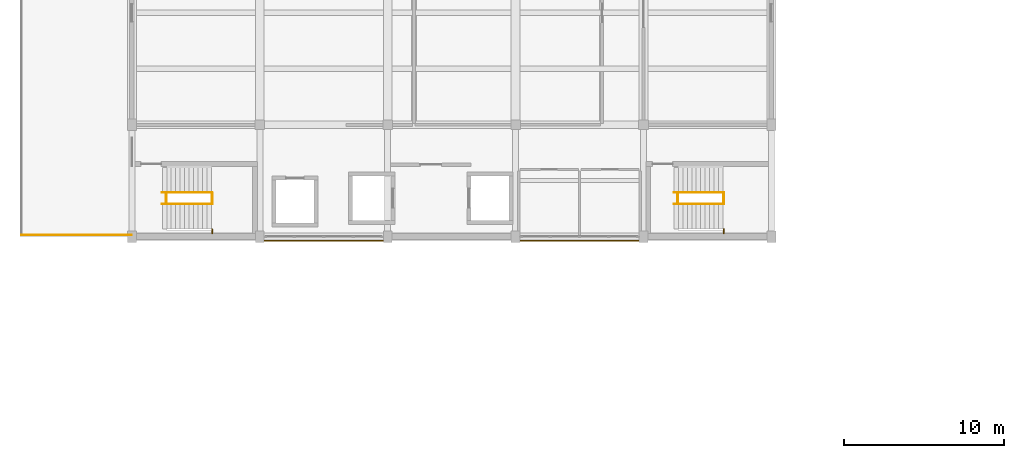
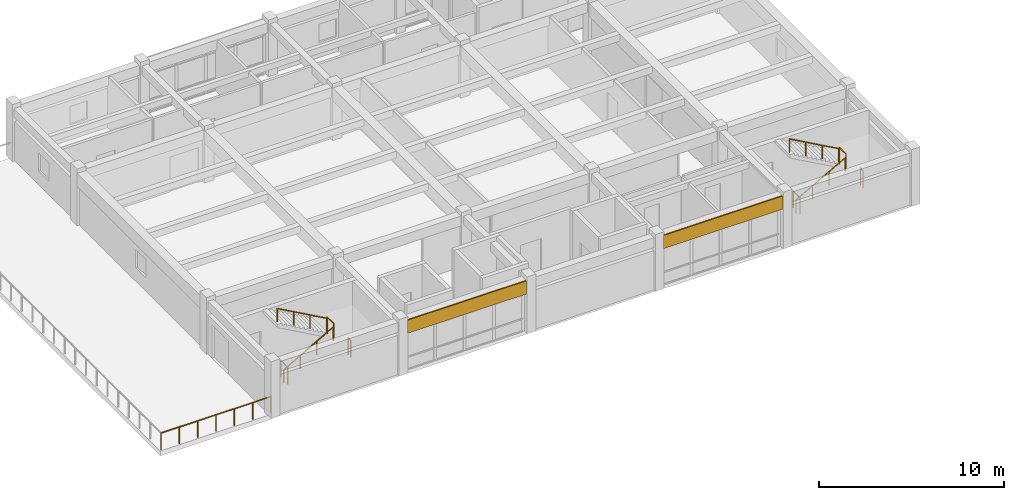
# One storey, part 9 of 10: 11 railings, 2 coverings.
"""IFC4 building model written with IfcOpenShell, lengths in metres."""

import ifcopenshell
import ifcopenshell.guid

model = None  # the IFC model being written
_history = None  # IfcOwnerHistory: only IFC2X3 demands one
_inside = {}  # id of a spatial element -> (the spatial element, [elements in it])
_under = {}  # id of a project, library or spatial element -> (it, [spatial elements below it])
_declared = {}  # id of a project -> (the project, [libraries it declares])
_typed = {}  # id of a type object -> (the type object, [elements of that type])
_made_of = {}  # id of a material, layer set ... -> (it, [elements and type objects made of it])


def new_model(schema):
    """Start an empty IFC model of exactly this schema.

    Asked for "IFC4X3", IfcOpenShell would pick the latest addendum, in which some entities
    have other attributes; the version numbers below select the first issue.
    IFC2X3 requires an IfcOwnerHistory on every rooted entity: one is made here for all.
    """
    global model, _history
    if schema == "IFC4X3":
        model = ifcopenshell.file(schema_version=(4, 3, 0, 0))
    else:
        model = ifcopenshell.file(schema=schema)
    _inside.clear()
    _under.clear()
    _declared.clear()
    _typed.clear()
    _made_of.clear()
    _history = None
    if model.schema == "IFC2X3":
        org = make("IfcOrganization", Name="unknown")
        user = make(
            "IfcPersonAndOrganization",
            ThePerson=make("IfcPerson", FamilyName="unknown"),
            TheOrganization=org,
        )
        app = make(
            "IfcApplication",
            ApplicationDeveloper=org,
            Version="unknown",
            ApplicationFullName="unknown",
            ApplicationIdentifier="unknown",
        )
        _history = make(
            "IfcOwnerHistory",
            OwningUser=user,
            OwningApplication=app,
            ChangeAction="ADDED",
            CreationDate=0,
        )
    return model


def make(cls, **values):
    """One entity of the class cls with the attributes given. An attribute that is None is left unset."""
    return model.create_entity(
        cls, **{name: value for name, value in values.items() if value is not None}
    )


def rooted(cls, **values):
    """An entity with a GlobalId (a new one), such as an element, a storey or a relation."""
    return make(cls, GlobalId=ifcopenshell.guid.new(), OwnerHistory=_history, **values)


def si_unit(unit_type, name, prefix=None):
    """IfcSIUnit, for example si_unit("LENGTHUNIT", "METRE", prefix="MILLI")."""
    return make("IfcSIUnit", UnitType=unit_type, Prefix=prefix, Name=name)


def assignment(units):
    """IfcUnitAssignment: the units of a project."""
    return None if units is None else make("IfcUnitAssignment", Units=units)


def point(xyz):
    """IfcCartesianPoint."""
    return None if xyz is None else make("IfcCartesianPoint", Coordinates=xyz)


def direction(xyz):
    """IfcDirection."""
    return None if xyz is None else make("IfcDirection", DirectionRatios=xyz)


def frame(location, z_axis=None, x_axis=None):
    """IfcAxis2Placement3D, a coordinate frame: its origin and axes. An axis left out is left unset."""
    return make(
        "IfcAxis2Placement3D",
        Location=point(location),
        Axis=direction(z_axis),
        RefDirection=direction(x_axis),
    )


def frame_2d(location, x_axis=None):
    """IfcAxis2Placement2D, a coordinate frame in the plane: its origin and x axis."""
    return make(
        "IfcAxis2Placement2D", Location=point(location), RefDirection=direction(x_axis)
    )


def origin():
    """The frame at (0, 0, 0) with its axes left unset."""
    return frame((0.0, 0.0, 0.0))


def origin_2d():
    """The frame at (0, 0) in the plane with its x axis left unset."""
    return frame_2d((0.0, 0.0))


def place(relative_to, where):
    """IfcLocalPlacement: puts the frame where relative to a parent placement (None: the world)."""
    return make(
        "IfcLocalPlacement", PlacementRelTo=relative_to, RelativePlacement=where
    )


def context(
    kind, dimensions, precision=None, world=None, true_north=None, identifier=None
):
    """IfcGeometricRepresentationContext, for example the 3D "Model" context."""
    return make(
        "IfcGeometricRepresentationContext",
        ContextIdentifier=identifier,
        ContextType=kind,
        CoordinateSpaceDimension=dimensions,
        Precision=precision,
        WorldCoordinateSystem=world,
        TrueNorth=true_north,
    )


def subcontext(parent, identifier, kind, view, scale=None):
    """IfcGeometricRepresentationSubContext, for example "Body" below "Model"."""
    return make(
        "IfcGeometricRepresentationSubContext",
        ContextIdentifier=identifier,
        ContextType=kind,
        ParentContext=parent,
        TargetScale=scale,
        TargetView=view,
    )


def project(units=None, contexts=None):
    """IfcProject with its units and contexts."""
    return rooted(
        "IfcProject",
        Name="project",
        RepresentationContexts=contexts,
        UnitsInContext=assignment(units),
    )


def spatial(cls, under=None, at=None, **own):
    """A site, building, storey or space (cls), placed at a placement, below another one or the project."""
    s = rooted(cls, ObjectPlacement=at, **own)
    if under is not None:
        _under.setdefault(under.id(), (under, []))[1].append(s)
    return s


def profile(cls, at=None, kind="AREA", **sizes):
    """A parametric profile (cls). Its sizes go by their IFC names, for example OverallWidth=200.0."""
    return make(cls, ProfileType=kind, Position=at, **sizes)


def rectangle(**sizes):
    """IfcRectangleProfileDef."""
    return profile("IfcRectangleProfileDef", **sizes)


def circle(**sizes):
    """IfcCircleProfileDef."""
    return profile("IfcCircleProfileDef", **sizes)


def extrude(swept, where, along, depth):
    """IfcExtrudedAreaSolid: the profile swept, set in the frame where, extruded along a direction by depth."""
    return make(
        "IfcExtrudedAreaSolid",
        SweptArea=swept,
        Position=where,
        ExtrudedDirection=direction(along),
        Depth=depth,
    )


def shape(context_of_items, identifier, shape_type, items):
    """IfcShapeRepresentation: the items that make up one representation, for example the "Body"."""
    return make(
        "IfcShapeRepresentation",
        ContextOfItems=context_of_items,
        RepresentationIdentifier=identifier,
        RepresentationType=shape_type,
        Items=items,
    )


def material(Name=None, Category=None):
    """IfcMaterial."""
    return make("IfcMaterial", Name=Name, Category=Category)


def layer(
    of_material, thickness, ventilated=None, Name=None, Category=None, Priority=None
):
    """IfcMaterialLayer: one layer of a wall or slab, of a material (None: an air gap)."""
    return make(
        "IfcMaterialLayer",
        Material=of_material,
        LayerThickness=thickness,
        IsVentilated=ventilated,
        Name=Name,
        Category=Category,
        Priority=Priority,
    )


def layer_set(layers, Name=None):
    """IfcMaterialLayerSet."""
    return make("IfcMaterialLayerSet", MaterialLayers=layers, LayerSetName=Name)


def made_of(thing, what):
    """Note that an element or type object is made of a material, layer set ...; save() writes the relation."""
    if what is not None:
        _made_of.setdefault(what.id(), (what, []))[1].append(thing)
    return thing


def type_object(cls, material=None, **own):
    """A type object (cls), such as IfcWallType, which elements share."""
    return made_of(rooted(cls, **own), material)


def element(
    cls,
    number,
    at=None,
    inside=None,
    cuts=None,
    type_object=None,
    material=None,
    context=None,
    identifier="Body",
    shape_type=None,
    held_by="IfcProductDefinitionShape",
    body=None,
    shapes=None,
    **own,
):
    """One element of the class cls, such as IfcWall. Its Tag is "e" and its number.

    at: its placement. inside: the storey or other place that contains it. cuts: it is an
    opening in that element (IfcRelVoidsElement). A single representation is given by context,
    identifier, shape_type and body (its items); several are given by shapes. held_by: the class
    of the entity that holds the representations. save() writes the other relations.
    """
    e = rooted(cls, Tag="e%d" % number, ObjectPlacement=at, **own)
    if body is not None:
        shapes = [shape(context, identifier, shape_type, body)]
    if shapes is not None:
        e.Representation = make(held_by, Representations=shapes)
    if inside is not None:
        _inside.setdefault(inside.id(), (inside, []))[1].append(e)
    if cuts is not None:
        rooted(
            "IfcRelVoidsElement", RelatingBuildingElement=cuts, RelatedOpeningElement=e
        )
    if type_object is not None:
        _typed.setdefault(type_object.id(), (type_object, []))[1].append(e)
    return made_of(e, material)


def aggregate(whole, parts):
    """IfcRelAggregates: a whole, such as a stair, and the parts it consists of."""
    return rooted("IfcRelAggregates", RelatingObject=whole, RelatedObjects=parts)


def save(model, path):
    """Write the relations noted so far, then the file.

    IfcRelAggregates (storeys below a building ...), IfcRelContainedInSpatialStructure (elements
    in a storey), IfcRelDefinesByType, IfcRelAssociatesMaterial and IfcRelDeclares: one each for
    every whole, place, type object, material and project.
    """
    for whole, parts in _under.values():
        aggregate(whole, parts)
    for where, things in _inside.values():
        rooted(
            "IfcRelContainedInSpatialStructure",
            RelatedElements=things,
            RelatingStructure=where,
        )
    for kind, things in _typed.values():
        rooted("IfcRelDefinesByType", RelatedObjects=things, RelatingType=kind)
    for what, things in _made_of.values():
        rooted("IfcRelAssociatesMaterial", RelatedObjects=things, RelatingMaterial=what)
    for by, libraries in _declared.values():
        rooted("IfcRelDeclares", RelatingContext=by, RelatedDefinitions=libraries)
    model.write(path)


model = new_model("IFC4")

# Units and contexts
model_context = context("Model", 3, precision=1e-05, world=origin(), true_north=direction((0.0, 1.0)))
body_context = subcontext(model_context, "Body", "Model", "MODEL_VIEW")
ifc_project = project(units=[si_unit("LENGTHUNIT", "METRE"), si_unit("AREAUNIT", "SQUARE_METRE"), si_unit("VOLUMEUNIT", "CUBIC_METRE"), si_unit("PLANEANGLEUNIT", "RADIAN"), si_unit("MASSUNIT", "GRAM", prefix="KILO")], contexts=[model_context])

# Site, building, storey
site_placement = place(None, origin())
site = spatial("IfcSite", under=ifc_project, at=site_placement, CompositionType="ELEMENT")
building_placement = place(site_placement, origin())
building = spatial("IfcBuilding", under=site, at=building_placement, Name="Naurynzar Civic Courthouse", CompositionType="ELEMENT")
storey_placement = place(building_placement, frame((0.0, 0.0, 33.300048828125)))
storey = spatial("IfcBuildingStorey", under=building, at=storey_placement, Name="L09", CompositionType="ELEMENT", Elevation=33.300048828125)

# Coverings
ifc_material_1 = material(Name="Precast concrete C40/50", Category="concrete")
ifc_layer = layer(ifc_material_1, 0.080078125)
ifc_layer_set = layer_set([ifc_layer], Name="COV-CLAD-PRECAST-80")
covering_type = type_object("IfcCoveringType", Name="COV-CLAD-PRECAST-80", PredefinedType="CLADDING", material=ifc_layer_set)
for number, where, z_axis, x_axis, name in (
    (1, (97.0, 43.7451171875, 2.599853515625), (0.0, 0.0, 1.0), (-1.0, 0.0, 0.0), "V2 precast spandrel cladding 59"),
    (2, (81.0, 43.7451171875, 2.599853515625), (0.0, 0.0, 1.0), (-1.0, 0.0, 0.0), "V2 precast spandrel cladding 60"),
):
    element("IfcCovering", number, at=place(storey_placement, frame(where, z_axis=z_axis, x_axis=x_axis)), inside=storey, type_object=covering_type, Name=name, PredefinedType="CLADDING", context=body_context, shape_type="SweptSolid", body=[
        extrude(rectangle(XDim=7.449951171875, YDim=0.080078125, at=origin_2d()), origin(), (0.0, 0.0, 1.0), 0.8701171875),
    ])

# Railings
ifc_material_2 = material(Name="Brushed Stainless Steel 304", Category="steel")
railing_type_1 = type_object("IfcRailingType", Name="RAIL-BAL-1100", PredefinedType="BALUSTRADE", material=ifc_material_2)
railing_1_placement = place(storey_placement, frame((68.97998046875, 44.10009765625, 0.0)))
element("IfcRailing", 3, at=railing_1_placement, inside=storey, type_object=railing_type_1, Name="Roof garden perimeter balustrade guard GR-RG-V2W.1", PredefinedType="BALUSTRADE", context=body_context, shape_type="SweptSolid", body=[
    extrude(circle(Radius=0.02392578125, at=origin_2d()), frame((0.0, 0.0, 1.09619140625), z_axis=(-1.0, 0.0, 0.0), x_axis=(0.0, -1.0, 0.0)), (0.0, 0.0, 1.0), 6.8798828125),
    extrude(circle(Radius=0.02099609375, at=origin_2d()), origin(), (0.0, 0.0, 1.0), 1.072021484375),
    extrude(circle(Radius=0.02099609375, at=origin_2d()), frame((-1.146728515625, 0.0, 0.0)), (0.0, 0.0, 1.0), 1.072021484375),
    extrude(circle(Radius=0.02099609375, at=origin_2d()), frame((-2.293212890625, 0.0, 0.0)), (0.0, 0.0, 1.0), 1.072021484375),
    extrude(circle(Radius=0.02099609375, at=origin_2d()), frame((-3.43994140625, 0.0, 0.0)), (0.0, 0.0, 1.0), 1.072021484375),
    extrude(circle(Radius=0.02099609375, at=origin_2d()), frame((-4.586669921875, 0.0, 0.0)), (0.0, 0.0, 1.0), 1.072021484375),
    extrude(circle(Radius=0.02099609375, at=origin_2d()), frame((-5.733154296875, 0.0, 0.0)), (0.0, 0.0, 1.0), 1.072021484375),
    extrude(circle(Radius=0.02099609375, at=origin_2d()), frame((-6.8798828125, 0.0, 0.0)), (0.0, 0.0, 1.0), 1.072021484375),
])
for number, where, name in (
    (4, (71.139892578125, 46.0400390625, 0.0), "Stair ST-V2A floor well slot guard L09"),
    (5, (74.02001953125, 46.0400390625, 1.875), "Stair ST-V2A-L09 half-landing well guard"),
):
    element("IfcRailing", number, at=place(storey_placement, frame(where)), inside=storey, type_object=railing_type_1, Name=name, PredefinedType="BALUSTRADE", context=body_context, shape_type="SweptSolid", body=[
        extrude(circle(Radius=0.02392578125, at=origin_2d()), frame((0.0, 0.0, 1.09619140625), z_axis=(0.0, 1.0, 0.0), x_axis=(-1.0, 0.0, 0.0)), (0.0, 0.0, 1.0), 0.719970703125),
        extrude(circle(Radius=0.02099609375, at=origin_2d()), origin(), (0.0, 0.0, 1.0), 1.072021484375),
        extrude(circle(Radius=0.02099609375, at=origin_2d()), frame((0.0, 0.719970703125, 0.0)), (0.0, 0.0, 1.0), 1.072021484375),
    ])
railing_2_placement = place(storey_placement, frame((74.02001953125, 44.195068359375, 1.875)))
element("IfcRailing", 6, at=railing_2_placement, inside=storey, type_object=railing_type_1, Name="Stair ST-V2A-L09 half-landing south slot guard", PredefinedType="BALUSTRADE", context=body_context, shape_type="SweptSolid", body=[
    extrude(circle(Radius=0.02392578125, at=origin_2d()), frame((0.0, 0.0, 1.09619140625), z_axis=(0.0, 1.0, 0.0), x_axis=(-1.0, 0.0, 0.0)), (0.0, 0.0, 1.0), 0.284912109375),
    extrude(circle(Radius=0.02099609375, at=origin_2d()), origin(), (0.0, 0.0, 1.0), 1.072021484375),
    extrude(circle(Radius=0.02099609375, at=origin_2d()), frame((0.0, 0.284912109375, 0.0)), (0.0, 0.0, 1.0), 1.072021484375),
])
for number, where, name in (
    (7, (103.139892578125, 46.0400390625, 0.0), "Stair ST-V2B floor well slot guard L09"),
    (8, (106.02001953125, 46.0400390625, 1.875), "Stair ST-V2B-L09 half-landing well guard"),
):
    element("IfcRailing", number, at=place(storey_placement, frame(where)), inside=storey, type_object=railing_type_1, Name=name, PredefinedType="BALUSTRADE", context=body_context, shape_type="SweptSolid", body=[
        extrude(circle(Radius=0.02392578125, at=origin_2d()), frame((0.0, 0.0, 1.09619140625), z_axis=(0.0, 1.0, 0.0), x_axis=(-1.0, 0.0, 0.0)), (0.0, 0.0, 1.0), 0.719970703125),
        extrude(circle(Radius=0.02099609375, at=origin_2d()), origin(), (0.0, 0.0, 1.0), 1.072021484375),
        extrude(circle(Radius=0.02099609375, at=origin_2d()), frame((0.0, 0.719970703125, 0.0)), (0.0, 0.0, 1.0), 1.072021484375),
    ])
railing_3_placement = place(storey_placement, frame((106.02001953125, 44.195068359375, 1.875)))
element("IfcRailing", 9, at=railing_3_placement, inside=storey, type_object=railing_type_1, Name="Stair ST-V2B-L09 half-landing south slot guard", PredefinedType="BALUSTRADE", context=body_context, shape_type="SweptSolid", body=[
    extrude(circle(Radius=0.02392578125, at=origin_2d()), frame((0.0, 0.0, 1.09619140625), z_axis=(0.0, 1.0, 0.0), x_axis=(-1.0, 0.0, 0.0)), (0.0, 0.0, 1.0), 0.284912109375),
    extrude(circle(Radius=0.02099609375, at=origin_2d()), origin(), (0.0, 0.0, 1.0), 1.072021484375),
    extrude(circle(Radius=0.02099609375, at=origin_2d()), frame((0.0, 0.284912109375, 0.0)), (0.0, 0.0, 1.0), 1.072021484375),
])
ifc_material_3 = material(Name="Brushed Stainless Steel 304", Category="steel")
railing_type_2 = type_object("IfcRailingType", Name="RAIL-HR-900", PredefinedType="HANDRAIL", material=ifc_material_3)
railing_4_placement = place(storey_placement, frame((70.89990234375, 46.0400390625, 0.15625)))
element("IfcRailing", 10, at=railing_4_placement, inside=storey, type_object=railing_type_2, Name="Stair ST-V2A-L09 flight 1 handrail", PredefinedType="HANDRAIL", context=body_context, shape_type="SweptSolid", body=[
    extrude(circle(Radius=0.02392578125, at=origin_2d()), frame((0.0, 0.0, 0.8759765625), z_axis=(0.873241540666, 0.0, 0.487287606713), x_axis=(0.0, 1.0, 0.0)), (0.0, 0.0, 1.0), 3.527099609375),
    extrude(circle(Radius=0.02099609375, at=origin_2d()), origin(), (0.0, 0.0, 1.0), 0.851806640625),
    extrude(circle(Radius=0.02099609375, at=origin_2d()), frame((1.026611328125, 0.0, 0.572998046875)), (0.0, 0.0, 1.0), 0.851806640625),
    extrude(circle(Radius=0.02099609375, at=origin_2d()), frame((2.053466796875, 0.0, 1.145751953125)), (0.0, 0.0, 1.0), 0.851806640625),
    extrude(circle(Radius=0.02099609375, at=origin_2d()), frame((3.080078125, 0.0, 1.71875)), (0.0, 0.0, 1.0), 0.851806640625),
])
railing_5_placement = place(storey_placement, frame((73.97998046875, 46.760009765625, 2.03125)))
element("IfcRailing", 11, at=railing_5_placement, inside=storey, type_object=railing_type_2, Name="Stair ST-V2A-L09 flight 2 handrail", PredefinedType="HANDRAIL", context=body_context, shape_type="SweptSolid", body=[
    extrude(circle(Radius=0.02392578125, at=origin_2d()), frame((0.0, 0.0, 0.8759765625), z_axis=(-0.873241540666, 0.0, 0.487287606713), x_axis=(0.0, -1.0, 0.0)), (0.0, 0.0, 1.0), 3.527099609375),
    extrude(circle(Radius=0.02099609375, at=origin_2d()), origin(), (0.0, 0.0, 1.0), 0.851806640625),
    extrude(circle(Radius=0.02099609375, at=origin_2d()), frame((-1.026611328125, 0.0, 0.572998046875)), (0.0, 0.0, 1.0), 0.851806640625),
    extrude(circle(Radius=0.02099609375, at=origin_2d()), frame((-2.053466796875, 0.0, 1.145751953125)), (0.0, 0.0, 1.0), 0.851806640625),
    extrude(circle(Radius=0.02099609375, at=origin_2d()), frame((-3.080078125, 0.0, 1.71875)), (0.0, 0.0, 1.0), 0.851806640625),
])
railing_6_placement = place(storey_placement, frame((102.89990234375, 46.0400390625, 0.15625)))
element("IfcRailing", 12, at=railing_6_placement, inside=storey, type_object=railing_type_2, Name="Stair ST-V2B-L09 flight 1 handrail", PredefinedType="HANDRAIL", context=body_context, shape_type="SweptSolid", body=[
    extrude(circle(Radius=0.02392578125, at=origin_2d()), frame((0.0, 0.0, 0.8759765625), z_axis=(0.873241540666, 0.0, 0.487287606713), x_axis=(0.0, 1.0, 0.0)), (0.0, 0.0, 1.0), 3.527099609375),
    extrude(circle(Radius=0.02099609375, at=origin_2d()), origin(), (0.0, 0.0, 1.0), 0.851806640625),
    extrude(circle(Radius=0.02099609375, at=origin_2d()), frame((1.026611328125, 0.0, 0.572998046875)), (0.0, 0.0, 1.0), 0.851806640625),
    extrude(circle(Radius=0.02099609375, at=origin_2d()), frame((2.053466796875, 0.0, 1.145751953125)), (0.0, 0.0, 1.0), 0.851806640625),
    extrude(circle(Radius=0.02099609375, at=origin_2d()), frame((3.080078125, 0.0, 1.71875)), (0.0, 0.0, 1.0), 0.851806640625),
])
railing_7_placement = place(storey_placement, frame((105.97998046875, 46.760009765625, 2.03125)))
element("IfcRailing", 13, at=railing_7_placement, inside=storey, type_object=railing_type_2, Name="Stair ST-V2B-L09 flight 2 handrail", PredefinedType="HANDRAIL", context=body_context, shape_type="SweptSolid", body=[
    extrude(circle(Radius=0.02392578125, at=origin_2d()), frame((0.0, 0.0, 0.8759765625), z_axis=(-0.873241540666, 0.0, 0.487287606713), x_axis=(0.0, -1.0, 0.0)), (0.0, 0.0, 1.0), 3.527099609375),
    extrude(circle(Radius=0.02099609375, at=origin_2d()), origin(), (0.0, 0.0, 1.0), 0.851806640625),
    extrude(circle(Radius=0.02099609375, at=origin_2d()), frame((-1.026611328125, 0.0, 0.572998046875)), (0.0, 0.0, 1.0), 0.851806640625),
    extrude(circle(Radius=0.02099609375, at=origin_2d()), frame((-2.053466796875, 0.0, 1.145751953125)), (0.0, 0.0, 1.0), 0.851806640625),
    extrude(circle(Radius=0.02099609375, at=origin_2d()), frame((-3.080078125, 0.0, 1.71875)), (0.0, 0.0, 1.0), 0.851806640625),
])

save(model, "model.ifc")
